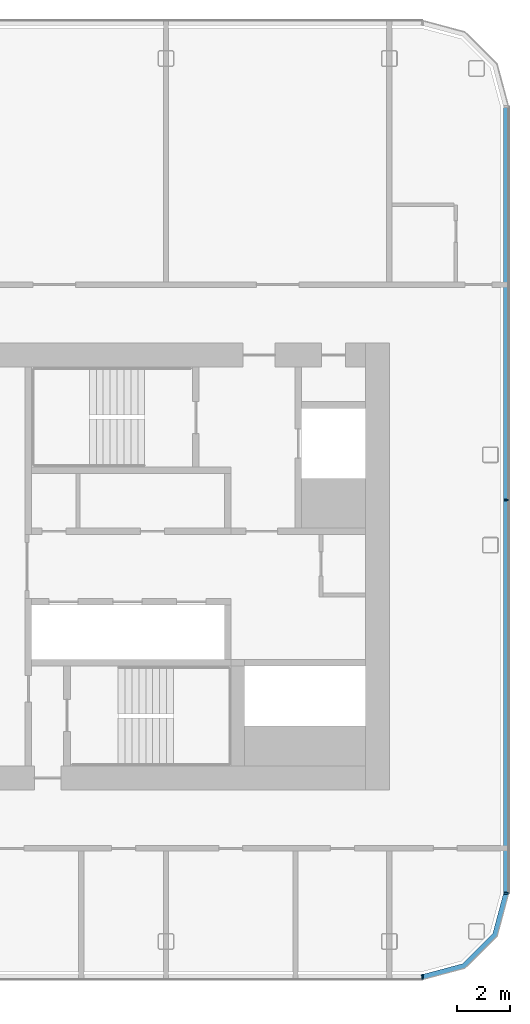
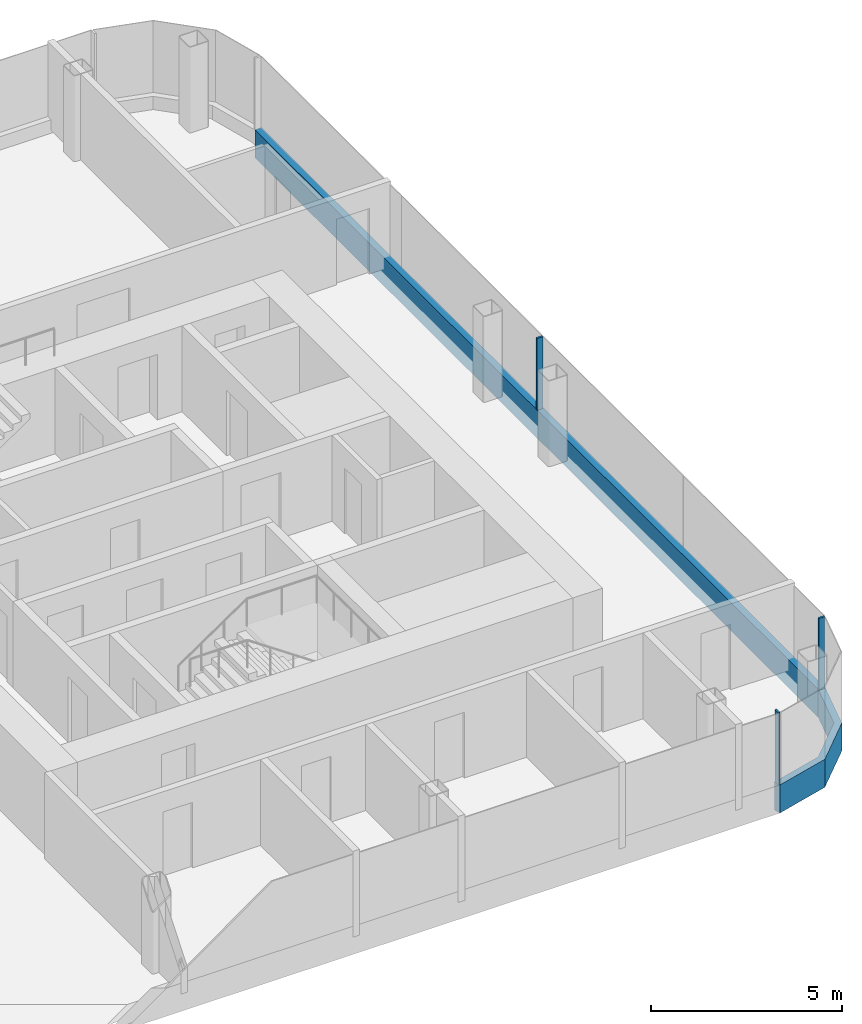
# One storey, part 10 of 26: 5 members, 3 elements without a shape of their own.
"""IFC4 building model written with IfcOpenShell, lengths in metres."""

from ifc_helpers import new_model, si_unit, direction, frame, origin, origin_2d, place, context, subcontext, project, spatial, polyline, rectangle, outline, extrude, material, layer, layer_set, material_profile, profile_set, type_object, element, aggregate, save


model = new_model("IFC4")

# Units and contexts
model_context = context("Model", 3, precision=1e-05, world=origin(), true_north=direction((0.0, 1.0)))
body_context = subcontext(model_context, "Body", "Model", "MODEL_VIEW")
ifc_project = project(units=[si_unit("LENGTHUNIT", "METRE"), si_unit("AREAUNIT", "SQUARE_METRE"), si_unit("VOLUMEUNIT", "CUBIC_METRE"), si_unit("PLANEANGLEUNIT", "RADIAN"), si_unit("MASSUNIT", "GRAM", prefix="KILO")], contexts=[model_context])

# Site, building, storey
site_placement = place(None, origin())
site = spatial("IfcSite", under=ifc_project, at=site_placement, CompositionType="ELEMENT")
building_placement = place(site_placement, origin())
building = spatial("IfcBuilding", under=site, at=building_placement, Name="Hakoniwa Tower and Hamabe Station Hall", CompositionType="ELEMENT")
storey_placement = place(building_placement, frame((0.0, 0.0, 212.199951171875)))
storey = spatial("IfcBuildingStorey", under=building, at=storey_placement, Name="L60", CompositionType="ELEMENT", Elevation=212.199951171875)

# Curtain wall, member
ifc_material_1 = material(Name="Dark low-e laminated glass", Category="glass")
ifc_layer = layer(ifc_material_1, 0.199951171875)
ifc_layer_set = layer_set([ifc_layer], Name="CW-1 UNITISED GUEST")
curtain_wall_type = type_object("IfcCurtainWallType", Name="CW-1 UNITISED GUEST", PredefinedType="NOTDEFINED", material=ifc_layer_set)
curtain_wall_1_placement = place(storey_placement, origin())
curtain_wall_1 = element("IfcCurtainWall", 1, at=curtain_wall_1_placement, inside=storey, type_object=curtain_wall_type, Name="CW-1 curtain wall", PredefinedType="NOTDEFINED")
ifc_material_2 = material(Name="Aluminium 6063-T5 black anodised", Category="aluminium")
ifc_material_profile_1 = material_profile(ifc_material_2, rectangle(XDim=0.199951171875, YDim=0.89990234375, at=origin_2d()), Name="CW SLAB-EDGE BAND 900X200")
ifc_profile_set_1 = profile_set([ifc_material_profile_1], Name="Aluminium 6063-T5 black anodised")
member_type_1 = type_object("IfcMemberType", Name="CW SLAB-EDGE BAND 900X200", PredefinedType="USERDEFINED", material=ifc_profile_set_1)
member_1_placement = place(storey_placement, frame((38.0, -12.28955078125, -0.099853515625), z_axis=(0.0, 1.0, 0.0), x_axis=(-1.0, 0.0, 0.0)))
member_1 = element("IfcMember", 2, at=member_1_placement, type_object=member_type_1, Name="CW-1 transom", ObjectType="TRANSOM", PredefinedType="USERDEFINED", context=body_context, shape_type="SweptSolid", body=[
    extrude(rectangle(XDim=0.199951171875, YDim=0.89990234375, at=origin_2d()), origin(), (0.0, 0.0, 1.0), 29.5791015625),
])

curtain_wall_2_placement = place(storey_placement, origin())
curtain_wall_2 = element("IfcCurtainWall", 3, at=curtain_wall_2_placement, inside=storey, type_object=curtain_wall_type, Name="CW-1 curtain wall", PredefinedType="NOTDEFINED")
member_2_placement = place(storey_placement, frame((0.0, 0.0, -0.550048828125)))
member_2 = element("IfcMember", 4, at=member_2_placement, type_object=member_type_1, Name="CW-1 transom", ObjectType="TRANSOM", PredefinedType="USERDEFINED", context=body_context, shape_type="SweptSolid", body=[
    extrude(outline(polyline([(34.839599609375, -15.550048828125), (36.455322265625, -15.116943359375), (37.6669921875, -13.9052734375), (38.10009765625, -12.28955078125), (37.90673828125, -12.23779296875), (37.48779296875, -13.8017578125), (36.351806640625, -14.937744140625), (34.787841796875, -15.35693359375), (34.839599609375, -15.550048828125)])), origin(), (0.0, 0.0, 1.0), 0.900146484375),
])
aggregate(curtain_wall_2, [member_2])

# Member
ifc_material_3 = material(Name="Aluminium 6063-T5 black anodised", Category="aluminium")
ifc_material_profile_2 = material_profile(ifc_material_3, rectangle(XDim=0.06005859375, YDim=0.179931640625, at=origin_2d()), Name="CW-1 MULLION 60X180")
ifc_profile_set_2 = profile_set([ifc_material_profile_2], Name="Aluminium 6063-T5 black anodised")
member_type_2 = type_object("IfcMemberType", Name="CW-1 MULLION 60X180", PredefinedType="MULLION", material=ifc_profile_set_2)
member_3_placement = place(storey_placement, frame((37.98193359375, -12.28955078125, 0.35009765625), z_axis=(0.0, 0.0, 1.0), x_axis=(0.0, 1.0, 0.0)))
member_3 = element("IfcMember", 5, at=member_3_placement, type_object=member_type_2, Name="CW-1 mullion", PredefinedType="MULLION", context=body_context, shape_type="SweptSolid", body=[
    extrude(rectangle(XDim=0.06005859375, YDim=0.179931640625, at=origin_2d()), origin(), (0.0, 0.0, 1.0), 2.300048828125),
])

member_4_placement = place(storey_placement, frame((37.98193359375, 2.5, 0.35009765625), z_axis=(0.0, 0.0, 1.0), x_axis=(0.0, 1.0, 0.0)))
member_4 = element("IfcMember", 6, at=member_4_placement, type_object=member_type_2, Name="CW-1 mullion", PredefinedType="MULLION", context=body_context, shape_type="SweptSolid", body=[
    extrude(rectangle(XDim=0.06005859375, YDim=0.179931640625, at=origin_2d()), origin(), (0.0, 0.0, 1.0), 2.300048828125),
])

aggregate(curtain_wall_1, [member_3, member_4, member_1])

# Curtain wall, member
curtain_wall_3_placement = place(storey_placement, origin())
curtain_wall_3 = element("IfcCurtainWall", 7, at=curtain_wall_3_placement, inside=storey, type_object=curtain_wall_type, Name="CW-1 curtain wall", PredefinedType="NOTDEFINED")
member_5_placement = place(storey_placement, frame((34.839599609375, -15.431884765625, 0.35009765625), z_axis=(0.0, 0.0, 1.0), x_axis=(1.0, 0.0, 0.0)))
member_5 = element("IfcMember", 8, at=member_5_placement, type_object=member_type_2, Name="CW-1 mullion", PredefinedType="MULLION", context=body_context, shape_type="SweptSolid", body=[
    extrude(rectangle(XDim=0.06005859375, YDim=0.179931640625, at=origin_2d()), origin(), (0.0, 0.0, 1.0), 2.300048828125),
])
aggregate(curtain_wall_3, [member_5])

save(model, "model.ifc")
